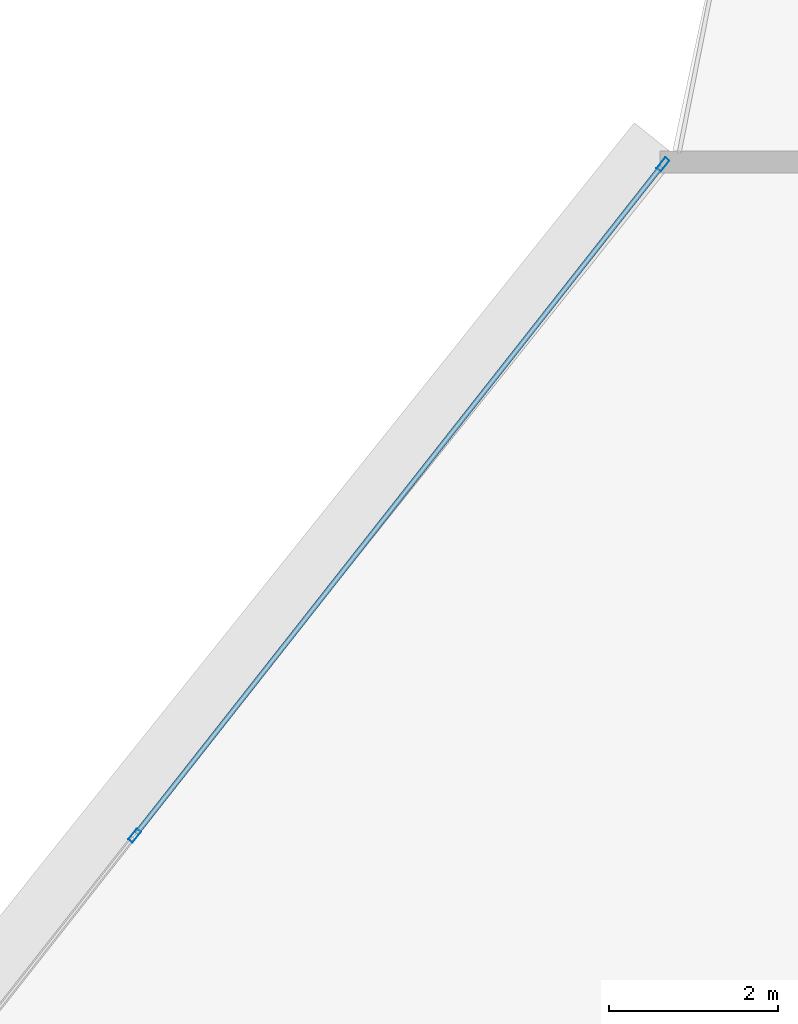
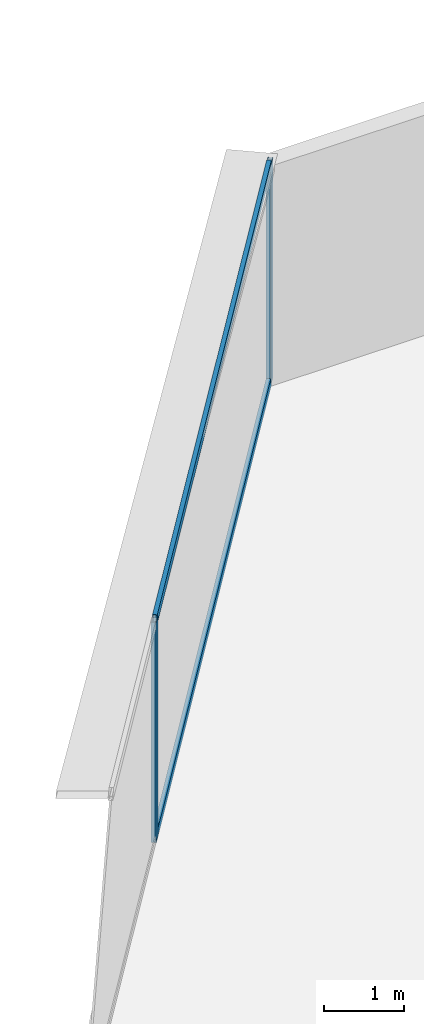
# One storey, part 27 of 42: 4 members, 1 element without a shape of its own.
"""IFC4 building model written with IfcOpenShell, lengths in metres."""

import ifcopenshell
import ifcopenshell.guid

model = None  # the IFC model being written
_history = None  # IfcOwnerHistory: only IFC2X3 demands one
_inside = {}  # id of a spatial element -> (the spatial element, [elements in it])
_under = {}  # id of a project, library or spatial element -> (it, [spatial elements below it])
_declared = {}  # id of a project -> (the project, [libraries it declares])
_typed = {}  # id of a type object -> (the type object, [elements of that type])
_made_of = {}  # id of a material, layer set ... -> (it, [elements and type objects made of it])


def new_model(schema):
    """Start an empty IFC model of exactly this schema.

    Asked for "IFC4X3", IfcOpenShell would pick the latest addendum, in which some entities
    have other attributes; the version numbers below select the first issue.
    IFC2X3 requires an IfcOwnerHistory on every rooted entity: one is made here for all.
    """
    global model, _history
    if schema == "IFC4X3":
        model = ifcopenshell.file(schema_version=(4, 3, 0, 0))
    else:
        model = ifcopenshell.file(schema=schema)
    _inside.clear()
    _under.clear()
    _declared.clear()
    _typed.clear()
    _made_of.clear()
    _history = None
    if model.schema == "IFC2X3":
        org = make("IfcOrganization", Name="unknown")
        user = make(
            "IfcPersonAndOrganization",
            ThePerson=make("IfcPerson", FamilyName="unknown"),
            TheOrganization=org,
        )
        app = make(
            "IfcApplication",
            ApplicationDeveloper=org,
            Version="unknown",
            ApplicationFullName="unknown",
            ApplicationIdentifier="unknown",
        )
        _history = make(
            "IfcOwnerHistory",
            OwningUser=user,
            OwningApplication=app,
            ChangeAction="ADDED",
            CreationDate=0,
        )
    return model


def make(cls, **values):
    """One entity of the class cls with the attributes given. An attribute that is None is left unset."""
    return model.create_entity(
        cls, **{name: value for name, value in values.items() if value is not None}
    )


def rooted(cls, **values):
    """An entity with a GlobalId (a new one), such as an element, a storey or a relation."""
    return make(cls, GlobalId=ifcopenshell.guid.new(), OwnerHistory=_history, **values)


def si_unit(unit_type, name, prefix=None):
    """IfcSIUnit, for example si_unit("LENGTHUNIT", "METRE", prefix="MILLI")."""
    return make("IfcSIUnit", UnitType=unit_type, Prefix=prefix, Name=name)


def assignment(units):
    """IfcUnitAssignment: the units of a project."""
    return None if units is None else make("IfcUnitAssignment", Units=units)


def point(xyz):
    """IfcCartesianPoint."""
    return None if xyz is None else make("IfcCartesianPoint", Coordinates=xyz)


def direction(xyz):
    """IfcDirection."""
    return None if xyz is None else make("IfcDirection", DirectionRatios=xyz)


def frame(location, z_axis=None, x_axis=None):
    """IfcAxis2Placement3D, a coordinate frame: its origin and axes. An axis left out is left unset."""
    return make(
        "IfcAxis2Placement3D",
        Location=point(location),
        Axis=direction(z_axis),
        RefDirection=direction(x_axis),
    )


def frame_2d(location, x_axis=None):
    """IfcAxis2Placement2D, a coordinate frame in the plane: its origin and x axis."""
    return make(
        "IfcAxis2Placement2D", Location=point(location), RefDirection=direction(x_axis)
    )


def origin():
    """The frame at (0, 0, 0) with its axes left unset."""
    return frame((0.0, 0.0, 0.0))


def origin_2d():
    """The frame at (0, 0) in the plane with its x axis left unset."""
    return frame_2d((0.0, 0.0))


def place(relative_to, where):
    """IfcLocalPlacement: puts the frame where relative to a parent placement (None: the world)."""
    return make(
        "IfcLocalPlacement", PlacementRelTo=relative_to, RelativePlacement=where
    )


def context(
    kind, dimensions, precision=None, world=None, true_north=None, identifier=None
):
    """IfcGeometricRepresentationContext, for example the 3D "Model" context."""
    return make(
        "IfcGeometricRepresentationContext",
        ContextIdentifier=identifier,
        ContextType=kind,
        CoordinateSpaceDimension=dimensions,
        Precision=precision,
        WorldCoordinateSystem=world,
        TrueNorth=true_north,
    )


def subcontext(parent, identifier, kind, view, scale=None):
    """IfcGeometricRepresentationSubContext, for example "Body" below "Model"."""
    return make(
        "IfcGeometricRepresentationSubContext",
        ContextIdentifier=identifier,
        ContextType=kind,
        ParentContext=parent,
        TargetScale=scale,
        TargetView=view,
    )


def project(units=None, contexts=None):
    """IfcProject with its units and contexts."""
    return rooted(
        "IfcProject",
        Name="project",
        RepresentationContexts=contexts,
        UnitsInContext=assignment(units),
    )


def spatial(cls, under=None, at=None, **own):
    """A site, building, storey or space (cls), placed at a placement, below another one or the project."""
    s = rooted(cls, ObjectPlacement=at, **own)
    if under is not None:
        _under.setdefault(under.id(), (under, []))[1].append(s)
    return s


def profile(cls, at=None, kind="AREA", **sizes):
    """A parametric profile (cls). Its sizes go by their IFC names, for example OverallWidth=200.0."""
    return make(cls, ProfileType=kind, Position=at, **sizes)


def hollow_rectangle(**sizes):
    """IfcRectangleHollowProfileDef."""
    return profile("IfcRectangleHollowProfileDef", **sizes)


def extrude(swept, where, along, depth):
    """IfcExtrudedAreaSolid: the profile swept, set in the frame where, extruded along a direction by depth."""
    return make(
        "IfcExtrudedAreaSolid",
        SweptArea=swept,
        Position=where,
        ExtrudedDirection=direction(along),
        Depth=depth,
    )


def shape(context_of_items, identifier, shape_type, items):
    """IfcShapeRepresentation: the items that make up one representation, for example the "Body"."""
    return make(
        "IfcShapeRepresentation",
        ContextOfItems=context_of_items,
        RepresentationIdentifier=identifier,
        RepresentationType=shape_type,
        Items=items,
    )


def source(mapping_origin, context_of_items, identifier, shape_type, items):
    """IfcRepresentationMap: a shape defined once, which mapped items show again and again."""
    return make(
        "IfcRepresentationMap",
        MappingOrigin=mapping_origin,
        MappedRepresentation=shape(context_of_items, identifier, shape_type, items),
    )


def transform(
    local_origin,
    x_axis=None,
    y_axis=None,
    z_axis=None,
    scale=None,
    scale2=None,
    scale3=None,
    uniform=True,
):
    """IfcCartesianTransformationOperator3D, or its non-uniform kind. x_axis, y_axis, z_axis: its Axis1, 2, 3."""
    if uniform:
        return make(
            "IfcCartesianTransformationOperator3D",
            Axis1=direction(x_axis),
            Axis2=direction(y_axis),
            LocalOrigin=point(local_origin),
            Scale=scale,
            Axis3=direction(z_axis),
        )
    return make(
        "IfcCartesianTransformationOperator3DnonUniform",
        Axis1=direction(x_axis),
        Axis2=direction(y_axis),
        LocalOrigin=point(local_origin),
        Scale=scale,
        Axis3=direction(z_axis),
        Scale2=scale2,
        Scale3=scale3,
    )


def mapped(mapping_source, mapping_target):
    """IfcMappedItem: shows the shape of a source again, moved by a transform."""
    return make(
        "IfcMappedItem", MappingSource=mapping_source, MappingTarget=mapping_target
    )


def material(Name=None, Category=None):
    """IfcMaterial."""
    return make("IfcMaterial", Name=Name, Category=Category)


def layer(
    of_material, thickness, ventilated=None, Name=None, Category=None, Priority=None
):
    """IfcMaterialLayer: one layer of a wall or slab, of a material (None: an air gap)."""
    return make(
        "IfcMaterialLayer",
        Material=of_material,
        LayerThickness=thickness,
        IsVentilated=ventilated,
        Name=Name,
        Category=Category,
        Priority=Priority,
    )


def layer_set(layers, Name=None):
    """IfcMaterialLayerSet."""
    return make("IfcMaterialLayerSet", MaterialLayers=layers, LayerSetName=Name)


def material_profile(
    of_material, cross_section, Name=None, Category=None, Priority=None
):
    """IfcMaterialProfile: a cross section and its material."""
    return make(
        "IfcMaterialProfile",
        Name=Name,
        Material=of_material,
        Profile=cross_section,
        Priority=Priority,
        Category=Category,
    )


def profile_set(profiles, Name=None, composite=None):
    """IfcMaterialProfileSet."""
    return make(
        "IfcMaterialProfileSet",
        Name=Name,
        MaterialProfiles=profiles,
        CompositeProfile=composite,
    )


def made_of(thing, what):
    """Note that an element or type object is made of a material, layer set ...; save() writes the relation."""
    if what is not None:
        _made_of.setdefault(what.id(), (what, []))[1].append(thing)
    return thing


def type_object(cls, material=None, **own):
    """A type object (cls), such as IfcWallType, which elements share."""
    return made_of(rooted(cls, **own), material)


def element(
    cls,
    number,
    at=None,
    inside=None,
    cuts=None,
    type_object=None,
    material=None,
    context=None,
    identifier="Body",
    shape_type=None,
    held_by="IfcProductDefinitionShape",
    body=None,
    shapes=None,
    **own,
):
    """One element of the class cls, such as IfcWall. Its Tag is "e" and its number.

    at: its placement. inside: the storey or other place that contains it. cuts: it is an
    opening in that element (IfcRelVoidsElement). A single representation is given by context,
    identifier, shape_type and body (its items); several are given by shapes. held_by: the class
    of the entity that holds the representations. save() writes the other relations.
    """
    e = rooted(cls, Tag="e%d" % number, ObjectPlacement=at, **own)
    if body is not None:
        shapes = [shape(context, identifier, shape_type, body)]
    if shapes is not None:
        e.Representation = make(held_by, Representations=shapes)
    if inside is not None:
        _inside.setdefault(inside.id(), (inside, []))[1].append(e)
    if cuts is not None:
        rooted(
            "IfcRelVoidsElement", RelatingBuildingElement=cuts, RelatedOpeningElement=e
        )
    if type_object is not None:
        _typed.setdefault(type_object.id(), (type_object, []))[1].append(e)
    return made_of(e, material)


def aggregate(whole, parts):
    """IfcRelAggregates: a whole, such as a stair, and the parts it consists of."""
    return rooted("IfcRelAggregates", RelatingObject=whole, RelatedObjects=parts)


def save(model, path):
    """Write the relations noted so far, then the file.

    IfcRelAggregates (storeys below a building ...), IfcRelContainedInSpatialStructure (elements
    in a storey), IfcRelDefinesByType, IfcRelAssociatesMaterial and IfcRelDeclares: one each for
    every whole, place, type object, material and project.
    """
    for whole, parts in _under.values():
        aggregate(whole, parts)
    for where, things in _inside.values():
        rooted(
            "IfcRelContainedInSpatialStructure",
            RelatedElements=things,
            RelatingStructure=where,
        )
    for kind, things in _typed.values():
        rooted("IfcRelDefinesByType", RelatedObjects=things, RelatingType=kind)
    for what, things in _made_of.values():
        rooted("IfcRelAssociatesMaterial", RelatedObjects=things, RelatingMaterial=what)
    for by, libraries in _declared.values():
        rooted("IfcRelDeclares", RelatingContext=by, RelatedDefinitions=libraries)
    model.write(path)


model = new_model("IFC4")

# Units and contexts
model_context = context("Model", 3, precision=1e-05, world=origin(), true_north=direction((0.0, 1.0)))
body_context = subcontext(model_context, "Body", "Model", "MODEL_VIEW")
ifc_project = project(units=[si_unit("LENGTHUNIT", "METRE"), si_unit("AREAUNIT", "SQUARE_METRE"), si_unit("VOLUMEUNIT", "CUBIC_METRE"), si_unit("PLANEANGLEUNIT", "RADIAN"), si_unit("MASSUNIT", "GRAM", prefix="KILO"), si_unit("THERMODYNAMICTEMPERATUREUNIT", "KELVIN"), si_unit("POWERUNIT", "WATT")], contexts=[model_context])

# Site, building, storey
site_placement = place(None, origin())
site = spatial("IfcSite", under=ifc_project, at=site_placement, CompositionType="ELEMENT")
building_placement = place(site_placement, origin())
building = spatial("IfcBuilding", under=site, at=building_placement, Name="Yunzhuo Pagoda Commons", CompositionType="ELEMENT")
storey_placement = place(building_placement, frame((0.0, 0.0, 41.2900390625)))
storey = spatial("IfcBuildingStorey", under=building, at=storey_placement, Name="L10", CompositionType="ELEMENT", Elevation=41.2900390625)

# Curtain wall, members
ifc_material = material(Name="Anodized aluminium 6063-T6", Category="aluminium")
ifc_layer = layer(ifc_material, 0.1650390625)
ifc_layer_set = layer_set([ifc_layer], Name="Anodized aluminium 6063-T6")
curtain_wall_type = type_object("IfcCurtainWallType", Name="CW-LOW Low-Zone Ribbon Curtain Wall", PredefinedType="NOTDEFINED", material=ifc_layer_set)
curtain_wall_placement = place(storey_placement, origin())
curtain_wall = element("IfcCurtainWall", 1, at=curtain_wall_placement, inside=storey, type_object=curtain_wall_type, Name="L10 curtain wall CW-L10-F3B1", PredefinedType="NOTDEFINED")
ifc_material_profile_1 = material_profile(ifc_material, hollow_rectangle(XDim=0.06494140625, YDim=0.1650390625, WallThickness=0.00390625, at=origin_2d()), Name="Anodized aluminium 6063-T6")
ifc_profile_set_1 = profile_set([ifc_material_profile_1], Name="Anodized aluminium 6063-T6")
member_type_1 = type_object("IfcMemberType", Name="CW-LOW-M Mullion RHS 165x65x4", PredefinedType="MULLION", material=ifc_profile_set_1)
shared_shape_1 = source(origin(), body_context, "Body", "SweptSolid", [
    extrude(hollow_rectangle(XDim=0.06494140625, YDim=0.1650390625, WallThickness=0.00390625, at=origin_2d()), origin(), (0.0, 0.0, 1.0), 3.369873046875),
])
member_1_placement = place(storey_placement, frame((43.26171875, 88.5400390625, 0.0), z_axis=(0.0, 0.0, 1.0), x_axis=(0.785883026265, -0.61837518468, 0.0)))
member_1 = element("IfcMember", 2, at=member_1_placement, type_object=member_type_1, Name="CW mullion 1", PredefinedType="MULLION", context=body_context, shape_type="MappedRepresentation", body=[
    mapped(shared_shape_1, transform((0.0, 0.0, 0.0), scale=1.0)),
])
member_2_placement = place(storey_placement, frame((37.011474609375, 80.5966796875, 0.0), z_axis=(0.0, 0.0, 1.0), x_axis=(0.785883026265, -0.61837518468, 0.0)))
member_2 = element("IfcMember", 3, at=member_2_placement, type_object=member_type_1, Name="CW mullion 2", PredefinedType="MULLION", context=body_context, shape_type="MappedRepresentation", body=[
    mapped(shared_shape_1, transform((0.0, 0.0, 0.0), scale=1.0)),
])
ifc_material_profile_2 = material_profile(ifc_material, hollow_rectangle(XDim=0.06005859375, YDim=0.139892578125, WallThickness=0.00341796875, at=origin_2d()), Name="Anodized aluminium 6063-T6")
ifc_profile_set_2 = profile_set([ifc_material_profile_2], Name="Anodized aluminium 6063-T6")
member_type_2 = type_object("IfcMemberType", Name="CW-LOW-T Transom RHS 140x60x3.5", PredefinedType="USERDEFINED", material=ifc_profile_set_2)
shared_shape_2 = source(origin(), body_context, "Body", "SweptSolid", [
    extrude(hollow_rectangle(XDim=0.06005859375, YDim=0.139892578125, WallThickness=0.00341796875, at=origin_2d()), origin(), (0.0, 0.0, 1.0), 10.04248046875),
])
member_3_placement = place(storey_placement, frame((43.241455078125, 88.514404296875, 0.030029296875), z_axis=(-0.618365747767, -0.785890451646, 0.0), x_axis=(0.785890451646, -0.618365747767, 0.0)))
member_3 = element("IfcMember", 4, at=member_3_placement, type_object=member_type_2, Name="CW transom 1.1", ObjectType="TRANSOM", PredefinedType="USERDEFINED", context=body_context, shape_type="MappedRepresentation", body=[
    mapped(shared_shape_2, transform((0.0, 0.0, 0.0), scale=1.0)),
])
member_4_placement = place(storey_placement, frame((43.241455078125, 88.514404296875, 3.33984375), z_axis=(-0.618365747767, -0.785890451646, 0.0), x_axis=(0.785890451646, -0.618365747767, 0.0)))
member_4 = element("IfcMember", 5, at=member_4_placement, type_object=member_type_2, Name="CW transom 1.2", ObjectType="TRANSOM", PredefinedType="USERDEFINED", context=body_context, shape_type="MappedRepresentation", body=[
    mapped(shared_shape_2, transform((0.0, 0.0, 0.0), scale=1.0)),
])
aggregate(curtain_wall, [member_1, member_2, member_3, member_4])

save(model, "model.ifc")
